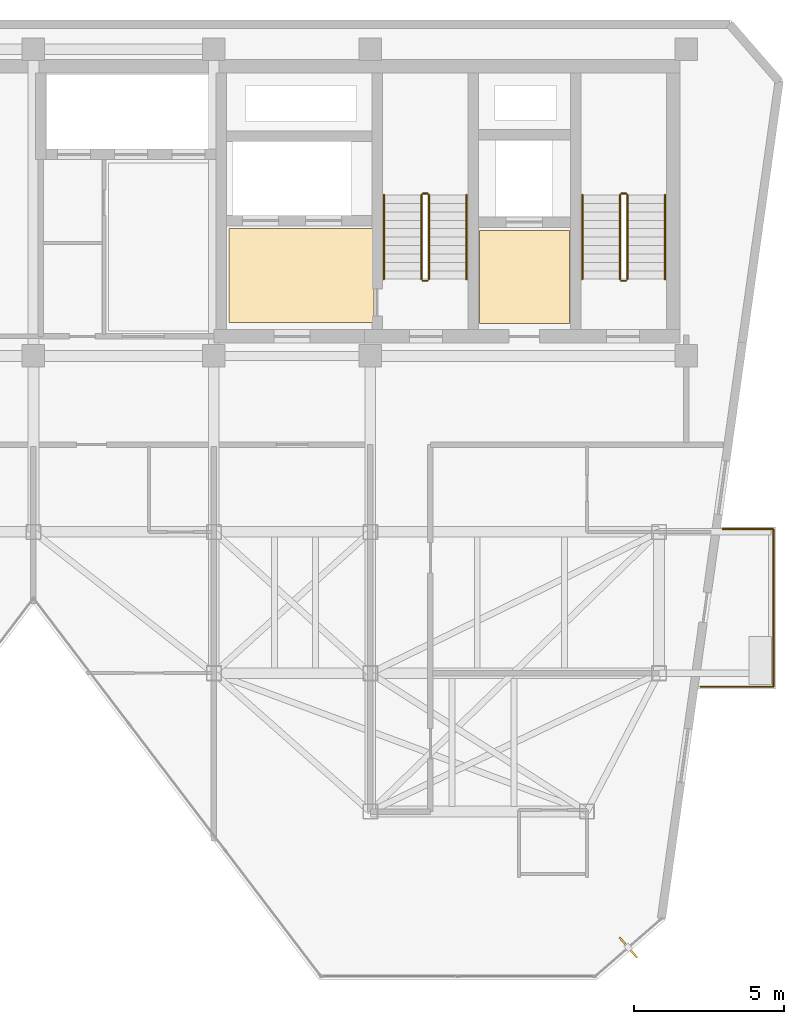
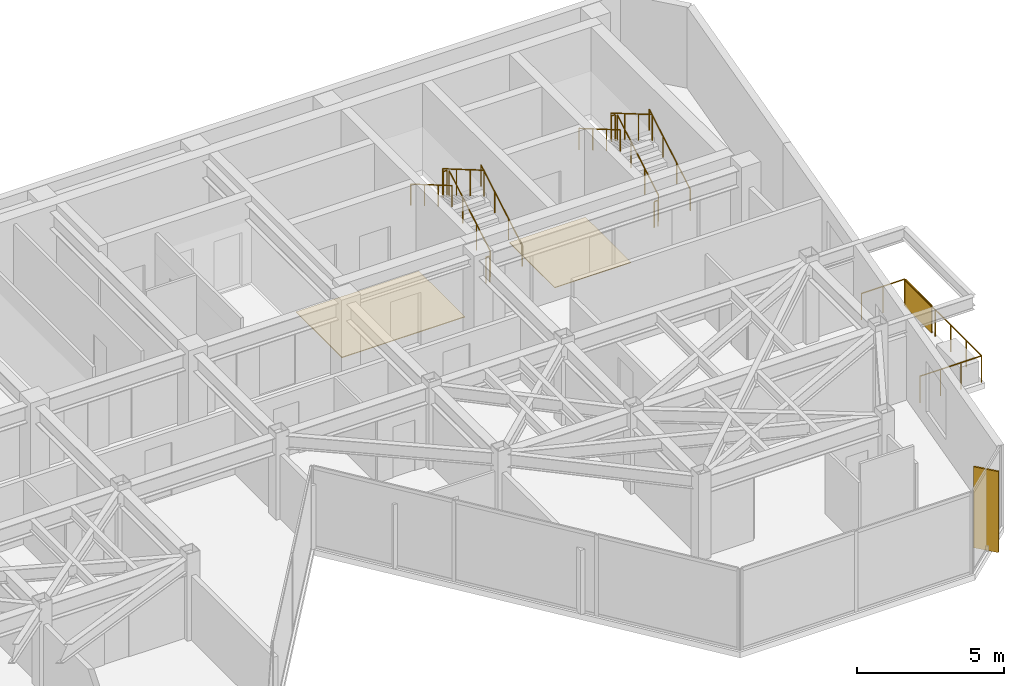
# One storey, part 20 of 20: 15 railings, 2 coverings, 2 shading devices.
"""IFC4 building model written with IfcOpenShell, lengths in metres."""

from ifc_helpers import new_model, si_unit, direction, frame, origin, origin_2d, place, context, subcontext, project, spatial, polyline, rectangle, circle, outline, extrude, material, layer, layer_set, type_object, element, save


model = new_model("IFC4")

# Units and contexts
model_context = context("Model", 3, precision=1e-05, world=origin(), true_north=direction((0.0, 1.0)))
body_context = subcontext(model_context, "Body", "Model", "MODEL_VIEW")
ifc_project = project(units=[si_unit("LENGTHUNIT", "METRE"), si_unit("AREAUNIT", "SQUARE_METRE"), si_unit("VOLUMEUNIT", "CUBIC_METRE"), si_unit("PLANEANGLEUNIT", "RADIAN"), si_unit("MASSUNIT", "GRAM", prefix="KILO")], contexts=[model_context])

# Site, building, storey
site_placement = place(None, origin())
site = spatial("IfcSite", under=ifc_project, at=site_placement, CompositionType="ELEMENT")
building_placement = place(site_placement, origin())
building = spatial("IfcBuilding", under=site, at=building_placement, Name="Kravanh Interchange Tower", CompositionType="ELEMENT")
storey_placement = place(building_placement, frame((0.0, 0.0, 238.199951171875)))
storey = spatial("IfcBuildingStorey", under=building, at=storey_placement, Name="L57", CompositionType="ELEMENT", Elevation=238.199951171875)

# Coverings
ifc_material_1 = material(Name="Cementitious Terrazzo Tile")
ifc_layer_1 = layer(ifc_material_1, 0.030029296875)
ifc_layer_set_1 = layer_set([ifc_layer_1], Name="Honed Terrazzo Lobby Flooring 30mm")
covering_type = type_object("IfcCoveringType", Name="Honed Terrazzo Lobby Flooring 30mm", PredefinedType="FLOORING", material=ifc_layer_set_1)
covering_1_placement = place(storey_placement, origin())
element("IfcCovering", 1, at=covering_1_placement, inside=storey, type_object=covering_type, Name="L57 Service Lift Lobby Floor Finish", PredefinedType="FLOORING", context=body_context, shape_type="SweptSolid", body=[
    extrude(outline(polyline([(59.6298828125, 41.52001953125), (62.6201171875, 41.52001953125), (62.6201171875, 38.429931640625), (59.6298828125, 38.429931640625), (59.6298828125, 41.52001953125)])), origin(), (0.0, 0.0, 1.0), 0.030029296875),
])
covering_2_placement = place(storey_placement, origin())
element("IfcCovering", 2, at=covering_2_placement, inside=storey, type_object=covering_type, Name="L57 Firefighting Lobby Floor Finish", PredefinedType="FLOORING", context=body_context, shape_type="SweptSolid", body=[
    extrude(outline(polyline([(56.1201171875, 38.4599609375), (51.300048828125, 38.4599609375), (51.300048828125, 41.580078125), (56.1201171875, 41.580078125), (56.1201171875, 38.4599609375)])), origin(), (0.0, 0.0, 1.0), 0.030029296875),
])

# Shading device
ifc_material_2 = material(Name="Perforated Anodised Bronze Aluminium", Category="aluminium")
ifc_layer_2 = layer(ifc_material_2, 0.0400390625)
ifc_layer_set_2 = layer_set([ifc_layer_2], Name="Perforated Bronze Balcony Privacy Screen 1150mm")
shading_device_type_1 = type_object("IfcShadingDeviceType", Name="Perforated Bronze Balcony Privacy Screen 1150mm", PredefinedType="USERDEFINED", material=ifc_layer_set_2)
shading_device_1_placement = place(storey_placement, frame((69.405029296875, 30.6201171875, 0.0), z_axis=(0.0, 0.0, 1.0), x_axis=(1.0, 0.0, 0.0)))
element("IfcShadingDevice", 3, at=shading_device_1_placement, inside=storey, type_object=shading_device_type_1, Name="L57 E Perforated Bronze BALCONY SCREEN", ObjectType="SCREEN", PredefinedType="USERDEFINED", context=body_context, shape_type="SweptSolid", body=[
    extrude(rectangle(XDim=0.0400390625, YDim=1.800048828125, at=origin_2d()), origin(), (0.0, 0.0, 1.0), 1.14990234375),
])

# Railings
ifc_material_3 = material(Name="Stainless Steel 316", Category="steel")
ifc_layer_3 = layer(ifc_material_3, 0.06005859375)
ifc_layer_set_3 = layer_set([ifc_layer_3], Name="Perimeter Balcony and Terrace Guardrail Stainless 316 1120mm")
railing_type_1 = type_object("IfcRailingType", Name="Perimeter Balcony and Terrace Guardrail Stainless 316 1120mm", PredefinedType="GUARDRAIL", material=ifc_layer_set_3)
railing_1_placement = place(storey_placement, frame((69.405029296875, 31.590087890625, 0.0)))
element("IfcRailing", 4, at=railing_1_placement, inside=storey, type_object=railing_type_1, Name="L57 E Balcony Guardrail 1", PredefinedType="GUARDRAIL", context=body_context, shape_type="SweptSolid", body=[
    extrude(circle(Radius=0.02392578125, at=origin_2d()), frame((0.0, 0.0, 1.09619140625), z_axis=(0.0, -1.0, 0.0), x_axis=(1.0, 0.0, 0.0)), (0.0, 0.0, 1.0), 5.239990234375),
    extrude(circle(Radius=0.02099609375, at=origin_2d()), origin(), (0.0, 0.0, 1.0), 1.072021484375),
    extrude(circle(Radius=0.02099609375, at=origin_2d()), frame((0.0, -1.048095703125, 0.0)), (0.0, 0.0, 1.0), 1.072021484375),
    extrude(circle(Radius=0.02099609375, at=origin_2d()), frame((0.0, -2.095947265625, 0.0)), (0.0, 0.0, 1.0), 1.072021484375),
    extrude(circle(Radius=0.02099609375, at=origin_2d()), frame((0.0, -3.14404296875, 0.0)), (0.0, 0.0, 1.0), 1.072021484375),
    extrude(circle(Radius=0.02099609375, at=origin_2d()), frame((0.0, -4.19189453125, 0.0)), (0.0, 0.0, 1.0), 1.072021484375),
    extrude(circle(Radius=0.02099609375, at=origin_2d()), frame((0.0, -5.239990234375, 0.0)), (0.0, 0.0, 1.0), 1.072021484375),
])
railing_2_placement = place(storey_placement, frame((69.405029296875, 26.35009765625, 0.0)))
element("IfcRailing", 5, at=railing_2_placement, inside=storey, type_object=railing_type_1, Name="L57 E Balcony Guardrail 2", PredefinedType="GUARDRAIL", context=body_context, shape_type="SweptSolid", body=[
    extrude(circle(Radius=0.02392578125, at=origin_2d()), frame((0.0, 0.0, 1.09619140625), z_axis=(-1.0, 0.0, 0.0), x_axis=(0.0, -1.0, 0.0)), (0.0, 0.0, 1.0), 2.422119140625),
    extrude(circle(Radius=0.02099609375, at=origin_2d()), origin(), (0.0, 0.0, 1.0), 1.072021484375),
    extrude(circle(Radius=0.02099609375, at=origin_2d()), frame((-0.807373046875, 0.0, 0.0)), (0.0, 0.0, 1.0), 1.072021484375),
    extrude(circle(Radius=0.02099609375, at=origin_2d()), frame((-1.61474609375, 0.0, 0.0)), (0.0, 0.0, 1.0), 1.072021484375),
    extrude(circle(Radius=0.02099609375, at=origin_2d()), frame((-2.422119140625, 0.0, 0.0)), (0.0, 0.0, 1.0), 1.072021484375),
])
railing_3_placement = place(storey_placement, frame((67.719482421875, 31.590087890625, 0.0)))
element("IfcRailing", 6, at=railing_3_placement, inside=storey, type_object=railing_type_1, Name="L57 E Balcony Guardrail 3", PredefinedType="GUARDRAIL", context=body_context, shape_type="SweptSolid", body=[
    extrude(circle(Radius=0.02392578125, at=origin_2d()), frame((0.0, 0.0, 1.09619140625), z_axis=(1.0, 0.0, 0.0), x_axis=(0.0, 1.0, 0.0)), (0.0, 0.0, 1.0), 1.685546875),
    extrude(circle(Radius=0.02099609375, at=origin_2d()), origin(), (0.0, 0.0, 1.0), 1.072021484375),
    extrude(circle(Radius=0.02099609375, at=origin_2d()), frame((0.8427734375, 0.0, 0.0)), (0.0, 0.0, 1.0), 1.072021484375),
    extrude(circle(Radius=0.02099609375, at=origin_2d()), frame((1.685546875, 0.0, 0.0)), (0.0, 0.0, 1.0), 1.072021484375),
])
ifc_material_4 = material(Name="Structural Steel S355", Category="steel")
ifc_layer_4 = layer(ifc_material_4, 0.050048828125)
ifc_layer_set_4 = layer_set([ifc_layer_4], Name="Stair Well Guardrail Structural Steel S355 1100mm")
railing_type_2 = type_object("IfcRailingType", Name="Stair Well Guardrail Structural Steel S355 1100mm", PredefinedType="GUARDRAIL", material=ifc_layer_set_4)
railing_4_placement = place(storey_placement, frame((64.550048828125, 39.89990234375, 0.16357421875)))
element("IfcRailing", 7, at=railing_4_placement, inside=storey, type_object=railing_type_2, Name="L57 ST1 stair guard 1", PredefinedType="GUARDRAIL", context=body_context, shape_type="SweptSolid", body=[
    extrude(circle(Radius=0.02392578125, at=origin_2d()), frame((0.0, 0.0, 1.076171875), z_axis=(0.0, 0.863360870873, 0.504586966384), x_axis=(-1.0, 0.0, 0.0)), (0.0, 0.0, 1.0), 3.2431640625),
    extrude(circle(Radius=0.02099609375, at=origin_2d()), origin(), (0.0, 0.0, 1.0), 1.052001953125),
    extrude(circle(Radius=0.02099609375, at=origin_2d()), frame((0.0, 0.933349609375, 0.54541015625)), (0.0, 0.0, 1.0), 1.052001953125),
    extrude(circle(Radius=0.02099609375, at=origin_2d()), frame((0.0, 1.86669921875, 1.091064453125)), (0.0, 0.0, 1.0), 1.052001953125),
    extrude(circle(Radius=0.02099609375, at=origin_2d()), frame((0.0, 2.800048828125, 1.636474609375)), (0.0, 0.0, 1.0), 1.052001953125),
])
railing_5_placement = place(storey_placement, frame((64.5, 42.75, 1.800048828125)))
element("IfcRailing", 8, at=railing_5_placement, inside=storey, type_object=railing_type_2, Name="L57 ST1 stair guard 2", PredefinedType="GUARDRAIL", context=body_context, shape_type="SweptSolid", body=[
    extrude(circle(Radius=0.02392578125, at=origin_2d()), frame((0.0, 0.0, 1.076171875), z_axis=(-1.0, 0.0, 0.0), x_axis=(0.0, -1.0, 0.0)), (0.0, 0.0, 1.0), 0.14990234375),
    extrude(circle(Radius=0.02099609375, at=origin_2d()), origin(), (0.0, 0.0, 1.0), 1.052001953125),
    extrude(circle(Radius=0.02099609375, at=origin_2d()), frame((-0.14990234375, 0.0, 0.0)), (0.0, 0.0, 1.0), 1.052001953125),
])
railing_6_placement = place(storey_placement, frame((64.300048828125, 42.699951171875, 1.963623046875)))
element("IfcRailing", 9, at=railing_6_placement, inside=storey, type_object=railing_type_2, Name="L57 ST1 stair guard 3", PredefinedType="GUARDRAIL", context=body_context, shape_type="SweptSolid", body=[
    extrude(circle(Radius=0.02392578125, at=origin_2d()), frame((0.0, 0.0, 1.076171875), z_axis=(0.0, -0.863360870873, 0.504586966384), x_axis=(1.0, 0.0, 0.0)), (0.0, 0.0, 1.0), 3.2431640625),
    extrude(circle(Radius=0.02099609375, at=origin_2d()), origin(), (0.0, 0.0, 1.0), 1.052001953125),
    extrude(circle(Radius=0.02099609375, at=origin_2d()), frame((0.0, -0.933349609375, 0.54541015625)), (0.0, 0.0, 1.0), 1.052001953125),
    extrude(circle(Radius=0.02099609375, at=origin_2d()), frame((0.0, -1.86669921875, 1.091064453125)), (0.0, 0.0, 1.0), 1.052001953125),
    extrude(circle(Radius=0.02099609375, at=origin_2d()), frame((0.0, -2.800048828125, 1.636474609375)), (0.0, 0.0, 1.0), 1.052001953125),
])
railing_7_placement = place(storey_placement, frame((64.5, 39.85009765625, 0.0)))
element("IfcRailing", 10, at=railing_7_placement, inside=storey, type_object=railing_type_2, Name="L57 ST1 stair guard 4", PredefinedType="GUARDRAIL", context=body_context, shape_type="SweptSolid", body=[
    extrude(circle(Radius=0.02392578125, at=origin_2d()), frame((0.0, 0.0, 1.076171875), z_axis=(-1.0, 0.0, 0.0), x_axis=(0.0, -1.0, 0.0)), (0.0, 0.0, 1.0), 0.14990234375),
    extrude(circle(Radius=0.02099609375, at=origin_2d()), origin(), (0.0, 0.0, 1.0), 1.052001953125),
    extrude(circle(Radius=0.02099609375, at=origin_2d()), frame((-0.14990234375, 0.0, 0.0)), (0.0, 0.0, 1.0), 1.052001953125),
])
railing_8_placement = place(storey_placement, frame((57.949951171875, 39.89990234375, 0.16357421875)))
element("IfcRailing", 11, at=railing_8_placement, inside=storey, type_object=railing_type_2, Name="L57 ST2 stair guard 1", PredefinedType="GUARDRAIL", context=body_context, shape_type="SweptSolid", body=[
    extrude(circle(Radius=0.02392578125, at=origin_2d()), frame((0.0, 0.0, 1.076171875), z_axis=(0.0, 0.863360870873, 0.504586966384), x_axis=(-1.0, 0.0, 0.0)), (0.0, 0.0, 1.0), 3.2431640625),
    extrude(circle(Radius=0.02099609375, at=origin_2d()), origin(), (0.0, 0.0, 1.0), 1.052001953125),
    extrude(circle(Radius=0.02099609375, at=origin_2d()), frame((0.0, 0.933349609375, 0.54541015625)), (0.0, 0.0, 1.0), 1.052001953125),
    extrude(circle(Radius=0.02099609375, at=origin_2d()), frame((0.0, 1.86669921875, 1.091064453125)), (0.0, 0.0, 1.0), 1.052001953125),
    extrude(circle(Radius=0.02099609375, at=origin_2d()), frame((0.0, 2.800048828125, 1.636474609375)), (0.0, 0.0, 1.0), 1.052001953125),
])
railing_9_placement = place(storey_placement, frame((57.89990234375, 42.75, 1.800048828125)))
element("IfcRailing", 12, at=railing_9_placement, inside=storey, type_object=railing_type_2, Name="L57 ST2 stair guard 2", PredefinedType="GUARDRAIL", context=body_context, shape_type="SweptSolid", body=[
    extrude(circle(Radius=0.02392578125, at=origin_2d()), frame((0.0, 0.0, 1.076171875), z_axis=(-1.0, 0.0, 0.0), x_axis=(0.0, -1.0, 0.0)), (0.0, 0.0, 1.0), 0.14990234375),
    extrude(circle(Radius=0.02099609375, at=origin_2d()), origin(), (0.0, 0.0, 1.0), 1.052001953125),
    extrude(circle(Radius=0.02099609375, at=origin_2d()), frame((-0.14990234375, 0.0, 0.0)), (0.0, 0.0, 1.0), 1.052001953125),
])
railing_10_placement = place(storey_placement, frame((57.699951171875, 42.699951171875, 1.963623046875)))
element("IfcRailing", 13, at=railing_10_placement, inside=storey, type_object=railing_type_2, Name="L57 ST2 stair guard 3", PredefinedType="GUARDRAIL", context=body_context, shape_type="SweptSolid", body=[
    extrude(circle(Radius=0.02392578125, at=origin_2d()), frame((0.0, 0.0, 1.076171875), z_axis=(0.0, -0.863360870873, 0.504586966384), x_axis=(1.0, 0.0, 0.0)), (0.0, 0.0, 1.0), 3.2431640625),
    extrude(circle(Radius=0.02099609375, at=origin_2d()), origin(), (0.0, 0.0, 1.0), 1.052001953125),
    extrude(circle(Radius=0.02099609375, at=origin_2d()), frame((0.0, -0.933349609375, 0.54541015625)), (0.0, 0.0, 1.0), 1.052001953125),
    extrude(circle(Radius=0.02099609375, at=origin_2d()), frame((0.0, -1.86669921875, 1.091064453125)), (0.0, 0.0, 1.0), 1.052001953125),
    extrude(circle(Radius=0.02099609375, at=origin_2d()), frame((0.0, -2.800048828125, 1.636474609375)), (0.0, 0.0, 1.0), 1.052001953125),
])
railing_11_placement = place(storey_placement, frame((57.89990234375, 39.85009765625, 0.0)))
element("IfcRailing", 14, at=railing_11_placement, inside=storey, type_object=railing_type_2, Name="L57 ST2 stair guard 4", PredefinedType="GUARDRAIL", context=body_context, shape_type="SweptSolid", body=[
    extrude(circle(Radius=0.02392578125, at=origin_2d()), frame((0.0, 0.0, 1.076171875), z_axis=(-1.0, 0.0, 0.0), x_axis=(0.0, -1.0, 0.0)), (0.0, 0.0, 1.0), 0.14990234375),
    extrude(circle(Radius=0.02099609375, at=origin_2d()), origin(), (0.0, 0.0, 1.0), 1.052001953125),
    extrude(circle(Radius=0.02099609375, at=origin_2d()), frame((-0.14990234375, 0.0, 0.0)), (0.0, 0.0, 1.0), 1.052001953125),
])
ifc_material_5 = material(Name="Stainless Steel 304", Category="steel")
ifc_layer_5 = layer(ifc_material_5, 0.044921875)
ifc_layer_set_5 = layer_set([ifc_layer_5], Name="Tubular Stair Handrail Stainless 304 900mm")
railing_type_3 = type_object("IfcRailingType", Name="Tubular Stair Handrail Stainless 304 900mm", PredefinedType="HANDRAIL", material=ifc_layer_set_5)
railing_12_placement = place(storey_placement, frame((65.800048828125, 39.89990234375, 0.16357421875)))
element("IfcRailing", 15, at=railing_12_placement, inside=storey, type_object=railing_type_3, Name="L57 ST1 stair handrail 1", PredefinedType="HANDRAIL", context=body_context, shape_type="SweptSolid", body=[
    extrude(circle(Radius=0.02392578125, at=origin_2d()), frame((0.0, 0.0, 0.8759765625), z_axis=(0.0, 0.863360870873, 0.504586966384), x_axis=(-1.0, 0.0, 0.0)), (0.0, 0.0, 1.0), 3.2431640625),
    extrude(circle(Radius=0.02099609375, at=origin_2d()), origin(), (0.0, 0.0, 1.0), 0.851806640625),
    extrude(circle(Radius=0.02099609375, at=origin_2d()), frame((0.0, 0.933349609375, 0.54541015625)), (0.0, 0.0, 1.0), 0.851806640625),
    extrude(circle(Radius=0.02099609375, at=origin_2d()), frame((0.0, 1.86669921875, 1.091064453125)), (0.0, 0.0, 1.0), 0.851806640625),
    extrude(circle(Radius=0.02099609375, at=origin_2d()), frame((0.0, 2.800048828125, 1.636474609375)), (0.0, 0.0, 1.0), 0.851806640625),
])
railing_13_placement = place(storey_placement, frame((63.050048828125, 42.699951171875, 1.963623046875)))
element("IfcRailing", 16, at=railing_13_placement, inside=storey, type_object=railing_type_3, Name="L57 ST1 stair handrail 2", PredefinedType="HANDRAIL", context=body_context, shape_type="SweptSolid", body=[
    extrude(circle(Radius=0.02392578125, at=origin_2d()), frame((0.0, 0.0, 0.8759765625), z_axis=(0.0, -0.863360870873, 0.504586966384), x_axis=(1.0, 0.0, 0.0)), (0.0, 0.0, 1.0), 3.2431640625),
    extrude(circle(Radius=0.02099609375, at=origin_2d()), origin(), (0.0, 0.0, 1.0), 0.851806640625),
    extrude(circle(Radius=0.02099609375, at=origin_2d()), frame((0.0, -0.933349609375, 0.54541015625)), (0.0, 0.0, 1.0), 0.851806640625),
    extrude(circle(Radius=0.02099609375, at=origin_2d()), frame((0.0, -1.86669921875, 1.091064453125)), (0.0, 0.0, 1.0), 0.851806640625),
    extrude(circle(Radius=0.02099609375, at=origin_2d()), frame((0.0, -2.800048828125, 1.636474609375)), (0.0, 0.0, 1.0), 0.851806640625),
])
railing_14_placement = place(storey_placement, frame((59.199951171875, 39.89990234375, 0.16357421875)))
element("IfcRailing", 17, at=railing_14_placement, inside=storey, type_object=railing_type_3, Name="L57 ST2 stair handrail 1", PredefinedType="HANDRAIL", context=body_context, shape_type="SweptSolid", body=[
    extrude(circle(Radius=0.02392578125, at=origin_2d()), frame((0.0, 0.0, 0.8759765625), z_axis=(0.0, 0.863360870873, 0.504586966384), x_axis=(-1.0, 0.0, 0.0)), (0.0, 0.0, 1.0), 3.2431640625),
    extrude(circle(Radius=0.02099609375, at=origin_2d()), origin(), (0.0, 0.0, 1.0), 0.851806640625),
    extrude(circle(Radius=0.02099609375, at=origin_2d()), frame((0.0, 0.933349609375, 0.54541015625)), (0.0, 0.0, 1.0), 0.851806640625),
    extrude(circle(Radius=0.02099609375, at=origin_2d()), frame((0.0, 1.86669921875, 1.091064453125)), (0.0, 0.0, 1.0), 0.851806640625),
    extrude(circle(Radius=0.02099609375, at=origin_2d()), frame((0.0, 2.800048828125, 1.636474609375)), (0.0, 0.0, 1.0), 0.851806640625),
])
railing_15_placement = place(storey_placement, frame((56.449951171875, 42.699951171875, 1.963623046875)))
element("IfcRailing", 18, at=railing_15_placement, inside=storey, type_object=railing_type_3, Name="L57 ST2 stair handrail 2", PredefinedType="HANDRAIL", context=body_context, shape_type="SweptSolid", body=[
    extrude(circle(Radius=0.02392578125, at=origin_2d()), frame((0.0, 0.0, 0.8759765625), z_axis=(0.0, -0.863360870873, 0.504586966384), x_axis=(1.0, 0.0, 0.0)), (0.0, 0.0, 1.0), 3.2431640625),
    extrude(circle(Radius=0.02099609375, at=origin_2d()), origin(), (0.0, 0.0, 1.0), 0.851806640625),
    extrude(circle(Radius=0.02099609375, at=origin_2d()), frame((0.0, -0.933349609375, 0.54541015625)), (0.0, 0.0, 1.0), 0.851806640625),
    extrude(circle(Radius=0.02099609375, at=origin_2d()), frame((0.0, -1.86669921875, 1.091064453125)), (0.0, 0.0, 1.0), 0.851806640625),
    extrude(circle(Radius=0.02099609375, at=origin_2d()), frame((0.0, -2.800048828125, 1.636474609375)), (0.0, 0.0, 1.0), 0.851806640625),
])

# Shading device
ifc_material_6 = material(Name="Anodised Champagne Bronze Aluminium", Category="aluminium")
ifc_layer_6 = layer(ifc_material_6, 0.06005859375)
ifc_layer_set_6 = layer_set([ifc_layer_6], Name="Vertical Bronze Solar Fin 900mm")
shading_device_type_2 = type_object("IfcShadingDeviceType", Name="Vertical Bronze Solar Fin 900mm", PredefinedType="USERDEFINED", material=ifc_layer_set_6)
shading_device_2_placement = place(storey_placement, frame((64.5771484375, 17.680908203125, 0.0), z_axis=(0.0, 0.0, 1.0), x_axis=(0.656043386928, -0.754723177376, 0.0)))
element("IfcShadingDevice", 19, at=shading_device_2_placement, inside=storey, type_object=shading_device_type_2, Name="L57 BRONZE SOLAR FIN 2", ObjectType="FIN", PredefinedType="USERDEFINED", context=body_context, shape_type="SweptSolid", body=[
    extrude(rectangle(XDim=0.89990234375, YDim=0.06005859375, at=origin_2d()), origin(), (0.0, 0.0, 1.0), 3.360107421875),
])

save(model, "model.ifc")
